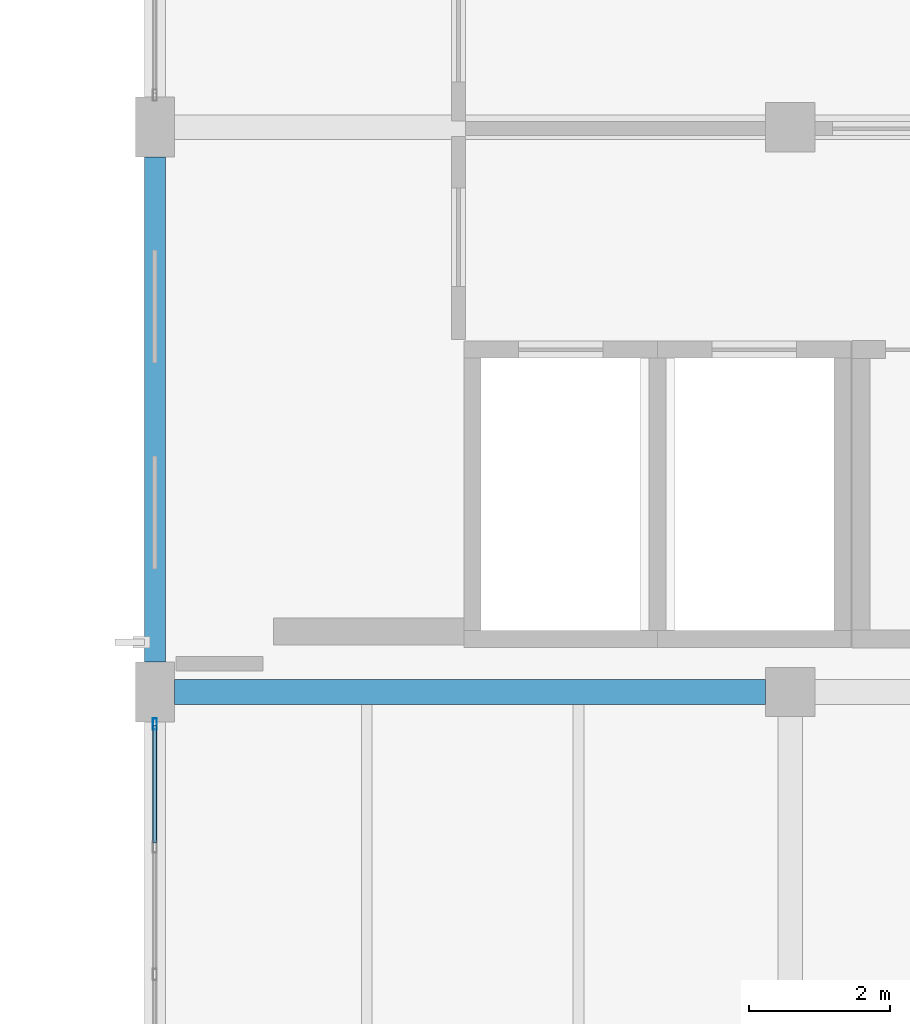
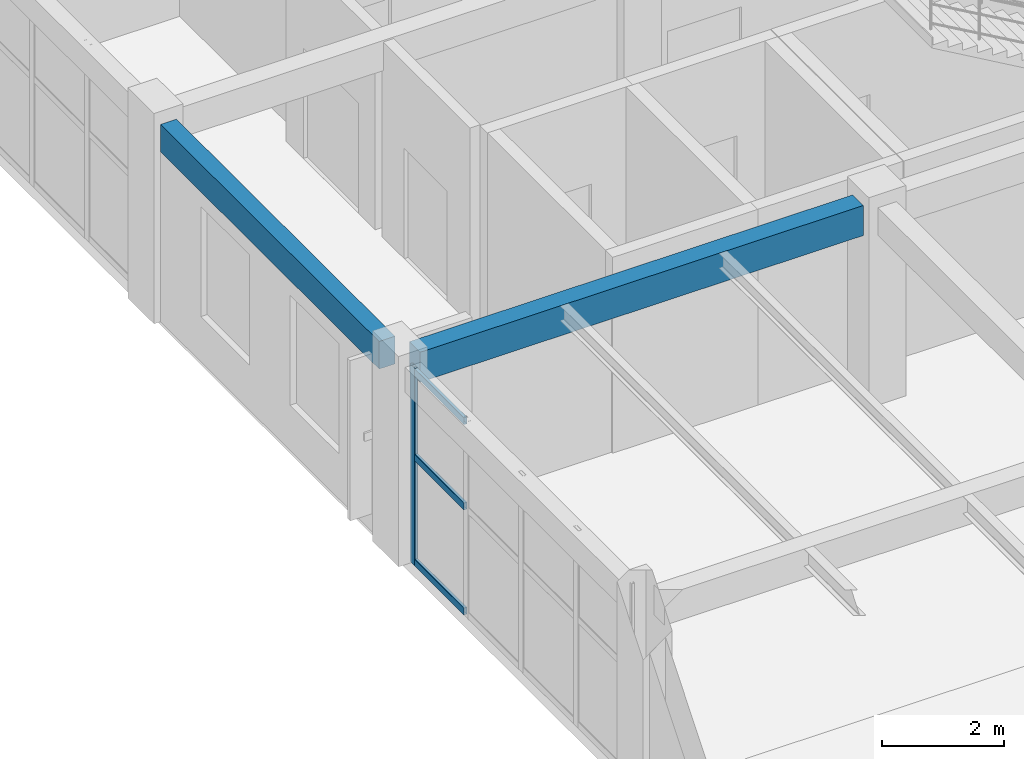
# One storey, part 31 of 71: 4 members, 2 beams, 1 element without a shape of its own.
"""IFC4 building model written with IfcOpenShell, lengths in metres."""

from ifc_helpers import new_model, si_unit, derived_unit, direction, frame, origin, origin_2d, place, context, subcontext, project, spatial, rectangle, hollow_rectangle, extrude, material, material_profile, profile_set, type_object, element, aggregate, save


model = new_model("IFC4")

# Units and contexts
model_context = context("Model", 3, precision=1e-05, world=origin(), true_north=direction((0.0, 1.0)))
body_context = subcontext(model_context, "Body", "Model", "MODEL_VIEW")
ifc_project = project(units=[si_unit("LENGTHUNIT", "METRE"), si_unit("AREAUNIT", "SQUARE_METRE"), si_unit("VOLUMEUNIT", "CUBIC_METRE"), si_unit("PLANEANGLEUNIT", "RADIAN"), si_unit("MASSUNIT", "GRAM", prefix="KILO"), derived_unit("THERMALTRANSMITTANCEUNIT", [(si_unit("MASSUNIT", "GRAM", prefix="KILO"), 1), (si_unit("TIMEUNIT", "SECOND"), -3), (si_unit("THERMODYNAMICTEMPERATUREUNIT", "KELVIN"), -1)])], contexts=[model_context])

# Site, building, storey
site_placement = place(None, origin())
site = spatial("IfcSite", under=ifc_project, at=site_placement, CompositionType="ELEMENT")
building_placement = place(site_placement, origin())
building = spatial("IfcBuilding", under=site, at=building_placement, Name="Zhenchuan Archway Interchange", CompositionType="ELEMENT")
storey_placement = place(building_placement, frame((0.0, 0.0, 18.60009765625)))
storey = spatial("IfcBuildingStorey", under=building, at=storey_placement, Name="L04", CompositionType="ELEMENT", Elevation=18.60009765625)

# Beam
ifc_material_1 = material(Name="Concrete C40", Category="concrete")
ifc_material_profile_1 = material_profile(ifc_material_1, rectangle(XDim=0.35009765625, YDim=0.60009765625, at=origin_2d()), Name="RC 350x600")
ifc_profile_set_1 = profile_set([ifc_material_profile_1], Name="Concrete C40")
beam_type_1 = type_object("IfcBeamType", Name="BM_RC_350x600", PredefinedType="BEAM", material=ifc_profile_set_1)
beam_1_placement = place(storey_placement, frame((144.27490234375, 48.0, 3.639892578125), z_axis=(1.0, 0.0, 0.0), x_axis=(0.0, 1.0, 0.0)))
element("IfcBeam", 1, at=beam_1_placement, inside=storey, type_object=beam_type_1, Name="Beam G:17-18 (L04)", PredefinedType="BEAM", context=body_context, shape_type="SweptSolid", body=[
    extrude(rectangle(XDim=0.35009765625, YDim=0.60009765625, at=origin_2d()), origin(), (0.0, 0.0, 1.0), 8.375),
])

# Curtain wall, members
ifc_material_2 = material(Name="Anodised Aluminium", Category="aluminium")
curtain_wall_type = type_object("IfcCurtainWallType", Name="CW_UNIT_3", PredefinedType="NOTDEFINED", material=ifc_material_2)
curtain_wall_placement = place(storey_placement, origin())
curtain_wall = element("IfcCurtainWall", 2, at=curtain_wall_placement, inside=storey, type_object=curtain_wall_type, Name="Unitised curtain wall CW:L04:190", PredefinedType="NOTDEFINED")
ifc_material_profile_2 = material_profile(ifc_material_2, hollow_rectangle(XDim=0.06005859375, YDim=0.159912109375, WallThickness=0.00390625, InnerFilletRadius=0.00390625, OuterFilletRadius=0.008056640625, at=origin_2d()), Name="ALU 160x60x4")
ifc_profile_set_2 = profile_set([ifc_material_profile_2], Name="Anodised Aluminium")
member_type_1 = type_object("IfcMemberType", Name="CW_MUL_150", PredefinedType="MULLION", material=ifc_profile_set_2)
member_1_placement = place(storey_placement, frame((144.0, 47.547119140625, 0.0), z_axis=(0.0, 0.0, 1.0), x_axis=(1.0, 0.0, 0.0)))
member_1 = element("IfcMember", 3, at=member_1_placement, type_object=member_type_1, Name="CW:L04:190 mullion 4", PredefinedType="MULLION", context=body_context, shape_type="SweptSolid", body=[
    extrude(hollow_rectangle(XDim=0.06005859375, YDim=0.159912109375, WallThickness=0.00390625, InnerFilletRadius=0.00390625, OuterFilletRadius=0.008056640625, at=origin_2d()), origin(), (0.0, 0.0, 1.0), 3.93994140625),
])
ifc_material_profile_3 = material_profile(ifc_material_2, hollow_rectangle(XDim=0.06005859375, YDim=0.139892578125, WallThickness=0.00341796875, InnerFilletRadius=0.00341796875, OuterFilletRadius=0.007080078125, at=origin_2d()), Name="ALU 140x60x3.5")
ifc_profile_set_3 = profile_set([ifc_material_profile_3], Name="Anodised Aluminium")
member_type_2 = type_object("IfcMemberType", Name="CW_TRN_140", PredefinedType="USERDEFINED", material=ifc_profile_set_3)
member_2_placement = place(storey_placement, frame((144.0, 45.863525390625, 0.059814453125), z_axis=(0.0, 1.0, 0.0), x_axis=(-1.0, 0.0, 0.0)))
member_2 = element("IfcMember", 4, at=member_2_placement, type_object=member_type_2, Name="CW:L04:190 transom 3-1", ObjectType="TRANSOM", PredefinedType="USERDEFINED", context=body_context, shape_type="SweptSolid", body=[
    extrude(hollow_rectangle(XDim=0.06005859375, YDim=0.139892578125, WallThickness=0.00341796875, InnerFilletRadius=0.00341796875, OuterFilletRadius=0.007080078125, at=origin_2d()), origin(), (0.0, 0.0, 1.0), 1.66357421875),
])
member_3_placement = place(storey_placement, frame((144.0, 45.863525390625, 2.156005859375), z_axis=(0.0, 1.0, 0.0), x_axis=(-1.0, 0.0, 0.0)))
member_3 = element("IfcMember", 5, at=member_3_placement, type_object=member_type_2, Name="CW:L04:190 transom 3-2", ObjectType="TRANSOM", PredefinedType="USERDEFINED", context=body_context, shape_type="SweptSolid", body=[
    extrude(hollow_rectangle(XDim=0.06005859375, YDim=0.139892578125, WallThickness=0.00341796875, InnerFilletRadius=0.00341796875, OuterFilletRadius=0.007080078125, at=origin_2d()), origin(), (0.0, 0.0, 1.0), 1.66357421875),
])
member_4_placement = place(storey_placement, frame((144.0, 45.863525390625, 3.85986328125), z_axis=(0.0, 1.0, 0.0), x_axis=(-1.0, 0.0, 0.0)))
member_4 = element("IfcMember", 6, at=member_4_placement, type_object=member_type_2, Name="CW:L04:190 transom 3-3", ObjectType="TRANSOM", PredefinedType="USERDEFINED", context=body_context, shape_type="SweptSolid", body=[
    extrude(hollow_rectangle(XDim=0.06005859375, YDim=0.139892578125, WallThickness=0.00341796875, InnerFilletRadius=0.00341796875, OuterFilletRadius=0.007080078125, at=origin_2d()), origin(), (0.0, 0.0, 1.0), 1.66357421875),
])
aggregate(curtain_wall, [member_1, member_2, member_3, member_4])

# Beam
ifc_material_profile_4 = material_profile(ifc_material_1, rectangle(XDim=0.300048828125, YDim=0.550048828125, at=origin_2d()), Name="RC 300x550")
ifc_profile_set_4 = profile_set([ifc_material_profile_4], Name="Concrete C40")
beam_type_2 = type_object("IfcBeamType", Name="SP_RC_300x550", PredefinedType="SPANDREL", material=ifc_profile_set_4)
beam_2_placement = place(storey_placement, frame((144.0, 48.425048828125, 3.664794921875), z_axis=(0.0, 1.0, 0.0), x_axis=(-1.0, 0.0, 0.0)))
element("IfcBeam", 7, at=beam_2_placement, inside=storey, type_object=beam_type_2, Name="Beam 17:G-H (L04)", PredefinedType="SPANDREL", context=body_context, shape_type="SweptSolid", body=[
    extrude(rectangle(XDim=0.300048828125, YDim=0.550048828125, at=origin_2d()), origin(), (0.0, 0.0, 1.0), 7.14990234375),
])

save(model, "model.ifc")
